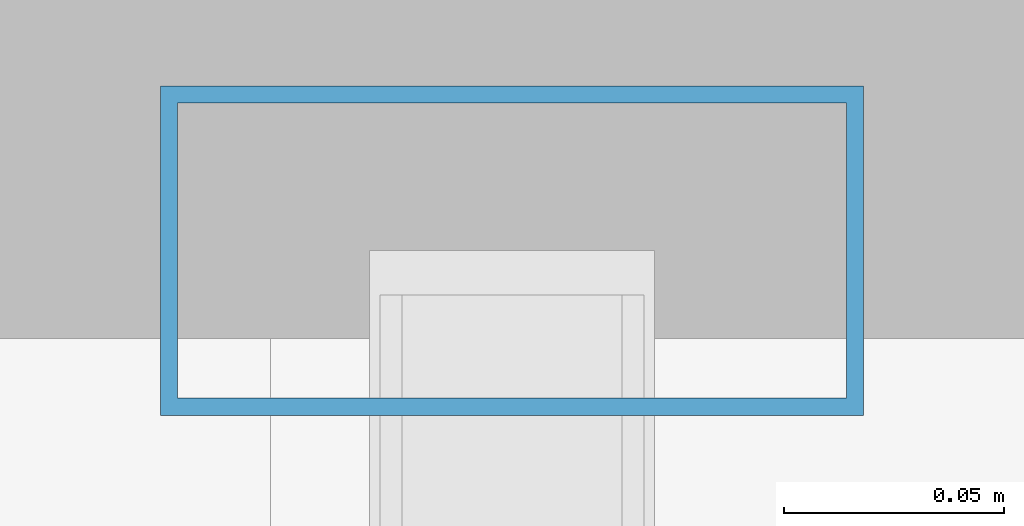
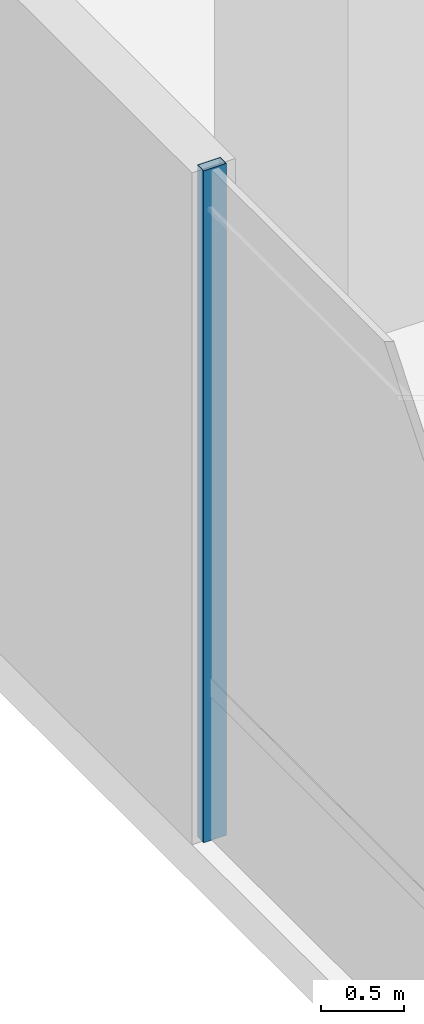
# One storey, part 12 of 39: 1 member, 1 element without a shape of its own.
"""IFC4 building model written with IfcOpenShell, lengths in metres."""

from ifc_helpers import new_model, si_unit, direction, frame, origin, origin_2d, place, context, subcontext, project, spatial, hollow_rectangle, extrude, source, transform, mapped, material, material_profile, profile_set, type_object, element, aggregate, save


model = new_model("IFC4")

# Units and contexts
model_context = context("Model", 3, precision=1e-05, world=origin(), true_north=direction((0.0, 1.0)))
body_context = subcontext(model_context, "Body", "Model", "MODEL_VIEW")
ifc_project = project(units=[si_unit("LENGTHUNIT", "METRE"), si_unit("AREAUNIT", "SQUARE_METRE"), si_unit("VOLUMEUNIT", "CUBIC_METRE"), si_unit("PLANEANGLEUNIT", "RADIAN"), si_unit("MASSUNIT", "GRAM", prefix="KILO")], contexts=[model_context])

# Site, building, storey
site_placement = place(None, origin())
site = spatial("IfcSite", under=ifc_project, at=site_placement, CompositionType="ELEMENT")
building_placement = place(site_placement, origin())
building = spatial("IfcBuilding", under=site, at=building_placement, Name="Valdorenza Pilgrim Sanctuary Tower", CompositionType="ELEMENT")
storey_placement = place(building_placement, frame((0.0, 0.0, 5.199951171875)))
storey = spatial("IfcBuildingStorey", under=building, at=storey_placement, Name="L01", CompositionType="ELEMENT", Elevation=5.199951171875)

# Curtain wall, member
ifc_material_1 = material(Name="Curtain-wall IGU glazing", Category="glass")
curtain_wall_type = type_object("IfcCurtainWallType", Name="CW-SYS-01", PredefinedType="NOTDEFINED", material=ifc_material_1)
curtain_wall_placement = place(storey_placement, origin())
curtain_wall = element("IfcCurtainWall", 1, at=curtain_wall_placement, inside=storey, type_object=curtain_wall_type, Name="L01 Curtain Wall CW-POD-L01-WW", PredefinedType="NOTDEFINED")
ifc_material_2 = material(Name="Anodised aluminium AW-6060", Category="aluminium")
ifc_material_profile = material_profile(ifc_material_2, hollow_rectangle(XDim=0.074951171875, YDim=0.159912109375, WallThickness=0.00390625, at=origin_2d()), Name="ALU-M 160x75x4")
ifc_profile_set = profile_set([ifc_material_profile], Name="Anodised aluminium AW-6060")
member_type = type_object("IfcMemberType", Name="CW-MUL-01", PredefinedType="MULLION", material=ifc_profile_set)
shared_shape = source(origin(), body_context, "Body", "SweptSolid", [
    extrude(hollow_rectangle(XDim=0.074951171875, YDim=0.159912109375, WallThickness=0.00390625, at=origin_2d()), origin(), (0.0, 0.0, 1.0), 4.920166015625),
])
member_placement = place(storey_placement, frame((-33.85009765625, 10.0, 0.0), z_axis=(0.0, 0.0, 1.0), x_axis=(0.0, 1.0, 0.0)))
member = element("IfcMember", 2, at=member_placement, type_object=member_type, Name="CW-POD-L01-WW Mullion 4", PredefinedType="MULLION", context=body_context, shape_type="MappedRepresentation", body=[
    mapped(shared_shape, transform((0.0, 0.0, 0.0), x_axis=(1.0, 0.0, 0.0), y_axis=(0.0, 1.0, 0.0), z_axis=(0.0, 0.0, 1.0), scale=1.0)),
])
aggregate(curtain_wall, [member])

save(model, "model.ifc")
